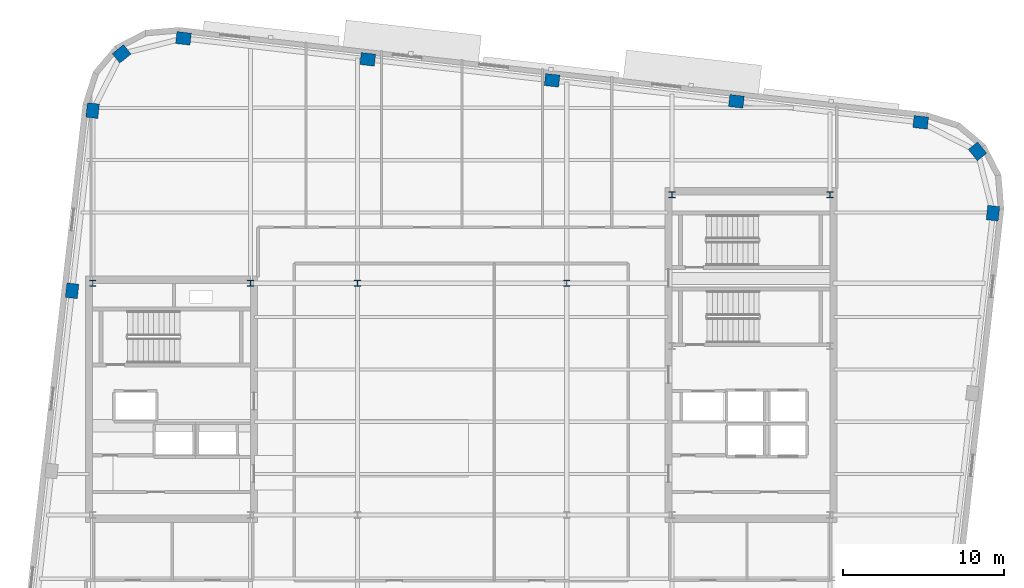
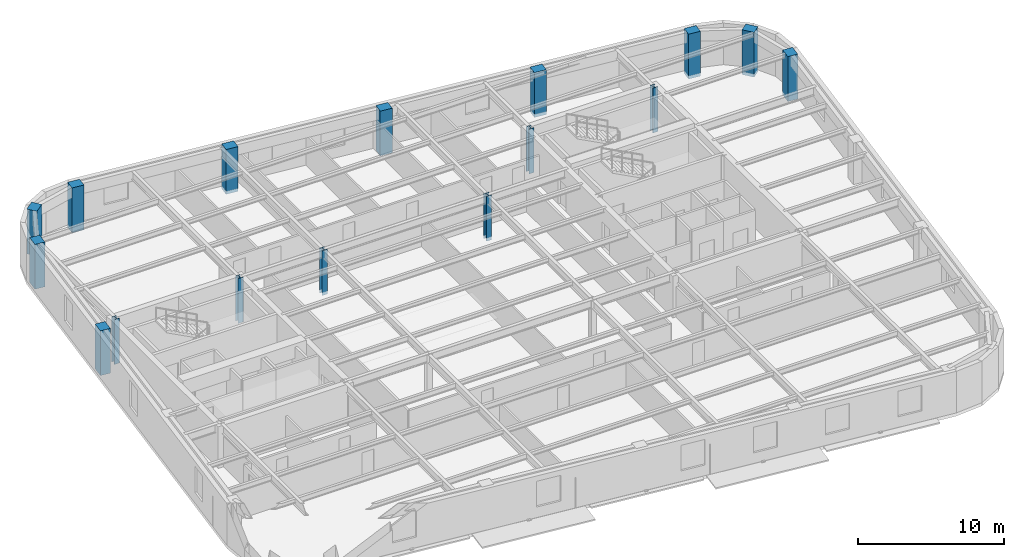
# One storey, part 2 of 13: 16 columns.
"""IFC4 building model written with IfcOpenShell, lengths in metres."""

from ifc_helpers import new_model, si_unit, direction, frame, origin, origin_2d, place, context, subcontext, project, spatial, rectangle, i_section, extrude, material, material_profile, profile_set, type_object, element, save


model = new_model("IFC4")

# Units and contexts
model_context = context("Model", 3, precision=1e-05, world=origin(), true_north=direction((0.0, 1.0)))
body_context = subcontext(model_context, "Body", "Model", "MODEL_VIEW")
ifc_project = project(units=[si_unit("LENGTHUNIT", "METRE"), si_unit("AREAUNIT", "SQUARE_METRE"), si_unit("VOLUMEUNIT", "CUBIC_METRE"), si_unit("PLANEANGLEUNIT", "RADIAN"), si_unit("MASSUNIT", "GRAM", prefix="KILO")], contexts=[model_context])

# Site, building, storey
site_placement = place(None, origin())
site = spatial("IfcSite", under=ifc_project, at=site_placement, CompositionType="ELEMENT")
building_placement = place(site_placement, origin())
building = spatial("IfcBuilding", under=site, at=building_placement, Name="Kolvaren Arena Tower", CompositionType="ELEMENT")
storey_placement = place(building_placement, frame((0.0, 0.0, 239.699951171875)))
storey = spatial("IfcBuildingStorey", under=building, at=storey_placement, Name="L58", CompositionType="ELEMENT", Elevation=239.699951171875)

# Columns
ifc_material_1 = material(Name="Precast concrete C55/67", Category="concrete")
ifc_material_profile_1 = material_profile(ifc_material_1, rectangle(XDim=0.89990234375, YDim=0.75, at=origin_2d()), Name="RC-900x750")
ifc_profile_set_1 = profile_set([ifc_material_profile_1], Name="Precast concrete C55/67")
column_type_1 = type_object("IfcColumnType", Name="EXCOL-Z4", PredefinedType="COLUMN", material=ifc_profile_set_1)
for number, where, z_axis, x_axis, name in (
    (1, (70.482177734375, 38.20458984375, -0.27001953125), (0.0, 0.0, 1.0), (0.113203213768, 0.993571855677, 0.0), "Exoskeleton Perimeter Column 10 (L58)"),
    (2, (69.519775390625, 42.047119140625, -0.27001953125), (0.0, 0.0, 1.0), (-0.622514636638, 0.782608156852, 0.0), "Exoskeleton Perimeter Column 11 (L58)"),
    (3, (65.9921875, 43.84912109375, -0.27001953125), (0.0, 0.0, 1.0), (0.993571855677, -0.113203213768, 0.0), "Exoskeleton Perimeter Column 12 (L58)"),
    (4, (54.54150390625, 45.15380859375, -0.27001953125), (0.0, 0.0, 1.0), (0.993571855677, -0.113203213768, 0.0), "Exoskeleton Perimeter Column 13 (L58)"),
    (5, (43.090576171875, 46.45849609375, -0.27001953125), (0.0, 0.0, 1.0), (0.993571855677, -0.113203213768, 0.0), "Exoskeleton Perimeter Column 14 (L58)"),
    (6, (31.6396484375, 47.76318359375, -0.27001953125), (0.0, 0.0, 1.0), (0.993571855677, -0.113203213768, 0.0), "Exoskeleton Perimeter Column 15 (L58)"),
    (7, (20.188720703125, 49.06787109375, -0.27001953125), (0.0, 0.0, 1.0), (0.993571855677, -0.113203213768, 0.0), "Exoskeleton Perimeter Column 16 (L58)"),
    (8, (16.34619140625, 48.10546875, -0.27001953125), (0.0, 0.0, 1.0), (0.782608156852, 0.622514636638, 0.0), "Exoskeleton Perimeter Column 17 (L58)"),
    (9, (14.544189453125, 44.577880859375, -0.27001953125), (0.0, 0.0, 1.0), (0.113203213768, 0.993571855677, 0.0), "Exoskeleton Perimeter Column 18 (L58)"),
    (10, (13.268798828125, 33.3837890625, -0.27001953125), (0.0, 0.0, 1.0), (0.113203213768, 0.993571855677, 0.0), "Exoskeleton Perimeter Column 19 (L58)"),
):
    element("IfcColumn", number, at=place(storey_placement, frame(where, z_axis=z_axis, x_axis=x_axis)), inside=storey, type_object=column_type_1, Name=name, PredefinedType="COLUMN", context=body_context, shape_type="SweptSolid", body=[
        extrude(rectangle(XDim=0.89990234375, YDim=0.75, at=origin_2d()), origin(), (0.0, 0.0, 1.0), 3.75),
    ])
ifc_material_2 = material(Name="Steel ASTM A913 Grade 65", Category="steel")
ifc_material_profile_2 = material_profile(ifc_material_2, i_section(OverallWidth=0.39892578125, OverallDepth=0.39306640625, WebThickness=0.022705078125, FlangeThickness=0.03662109375, FilletRadius=0.02001953125, at=origin_2d()), Name="W360x287")
ifc_profile_set_2 = profile_set([ifc_material_profile_2], Name="Steel ASTM A913 Grade 65")
column_type_2 = type_object("IfcColumnType", Name="SCOL-Z4", PredefinedType="COLUMN", material=ifc_profile_set_2)
for number, where, z_axis, x_axis, name in (
    (11, (14.550048828125, 33.85009765625, -0.27001953125), (0.0, 0.0, 1.0), (1.0, 0.0, 0.0), "Core Boundary Column WC-NW (L58)"),
    (12, (24.35009765625, 33.85009765625, -0.27001953125), (0.0, 0.0, 1.0), (1.0, 0.0, 0.0), "Core Boundary Column WC-NE (L58)"),
    (13, (50.550048828125, 39.35009765625, -0.27001953125), (0.0, 0.0, 1.0), (1.0, 0.0, 0.0), "Core Boundary Column EC-NW (L58)"),
    (14, (60.35009765625, 39.35009765625, -0.27001953125), (0.0, 0.0, 1.0), (1.0, 0.0, 0.0), "Core Boundary Column EC-NE (L58)"),
    (15, (31.0, 33.85009765625, -0.27001953125), (0.0, 0.0, 1.0), (1.0, 0.0, 0.0), "Interior Gravity Column TC-NW (L58)"),
    (16, (44.0, 33.85009765625, -0.27001953125), (0.0, 0.0, 1.0), (1.0, 0.0, 0.0), "Interior Gravity Column TC-NE (L58)"),
):
    element("IfcColumn", number, at=place(storey_placement, frame(where, z_axis=z_axis, x_axis=x_axis)), inside=storey, type_object=column_type_2, Name=name, PredefinedType="COLUMN", context=body_context, shape_type="SweptSolid", body=[
        extrude(i_section(OverallWidth=0.39892578125, OverallDepth=0.39306640625, WebThickness=0.022705078125, FlangeThickness=0.03662109375, FilletRadius=0.02001953125, at=origin_2d()), origin(), (0.0, 0.0, 1.0), 3.75),
    ])

save(model, "model.ifc")
